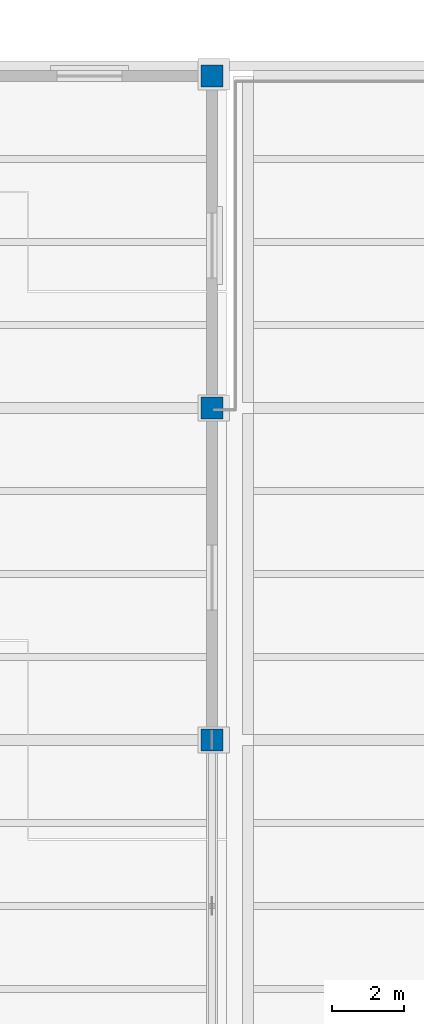
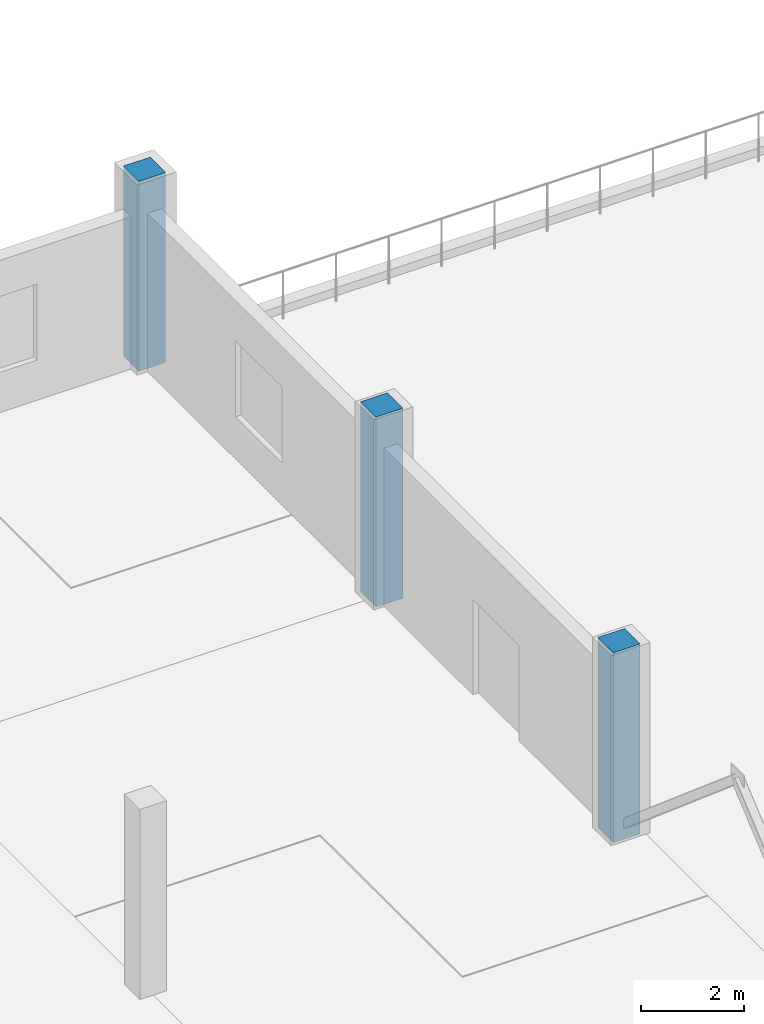
# One storey, part 16 of 156: 3 columns.
"""IFC4 building model written with IfcOpenShell, lengths in metres."""

from ifc_helpers import new_model, si_unit, direction, frame, origin, origin_2d, place, context, subcontext, project, spatial, rectangle, extrude, material, material_profile, profile_set, type_object, element, save


model = new_model("IFC4")

# Units and contexts
model_context = context("Model", 3, precision=1e-05, world=origin(), true_north=direction((0.0, 1.0)))
body_context = subcontext(model_context, "Body", "Model", "MODEL_VIEW")
ifc_project = project(units=[si_unit("LENGTHUNIT", "METRE"), si_unit("AREAUNIT", "SQUARE_METRE"), si_unit("VOLUMEUNIT", "CUBIC_METRE"), si_unit("PLANEANGLEUNIT", "RADIAN"), si_unit("MASSUNIT", "GRAM", prefix="KILO")], contexts=[model_context])

# Site, building, storey
site_placement = place(None, origin())
site = spatial("IfcSite", under=ifc_project, at=site_placement, CompositionType="ELEMENT")
building_placement = place(site_placement, origin())
building = spatial("IfcBuilding", under=site, at=building_placement, Name="Caurita Quay Ferry Terminal", CompositionType="ELEMENT")
storey_placement = place(building_placement, frame((0.0, 0.0, 5.39990234375)))
storey = spatial("IfcBuildingStorey", under=building, at=storey_placement, Name="L01", CompositionType="ELEMENT", Elevation=5.39990234375)

# Columns
ifc_material = material(Name="Reinforced concrete C35/45", Category="concrete")
ifc_material_profile = material_profile(ifc_material, rectangle(XDim=0.60009765625, YDim=0.60009765625, at=origin_2d()), Name="RC-COL-600X600")
ifc_profile_set = profile_set([ifc_material_profile], Name="Reinforced concrete C35/45")
column_type = type_object("IfcColumnType", Name="COL-RC-600", PredefinedType="COLUMN", material=ifc_profile_set)
for number, where, z_axis, x_axis, name in (
    (1, (131.800048828125, 98.60009765625, 0.0), (0.0, 0.0, 1.0), (1.0, 0.0, 0.0), "L01 Column V4-14-P"),
    (2, (131.800048828125, 107.800048828125, 0.0), (0.0, 0.0, 1.0), (1.0, 0.0, 0.0), "L01 Column V4-14-Q"),
    (3, (131.800048828125, 117.0, 0.0), (0.0, 0.0, 1.0), (1.0, 0.0, 0.0), "L01 Column V4-14-R"),
):
    element("IfcColumn", number, at=place(storey_placement, frame(where, z_axis=z_axis, x_axis=x_axis)), inside=storey, type_object=column_type, Name=name, PredefinedType="COLUMN", context=body_context, shape_type="SweptSolid", body=[
        extrude(rectangle(XDim=0.60009765625, YDim=0.60009765625, at=origin_2d()), origin(), (0.0, 0.0, 1.0), 4.5),
    ])

save(model, "model.ifc")
